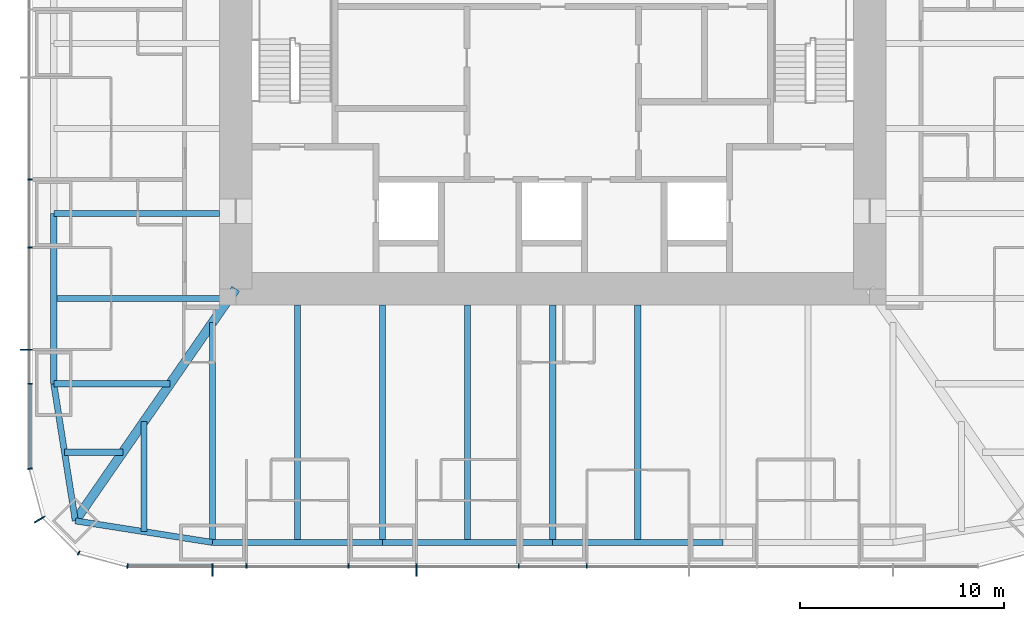
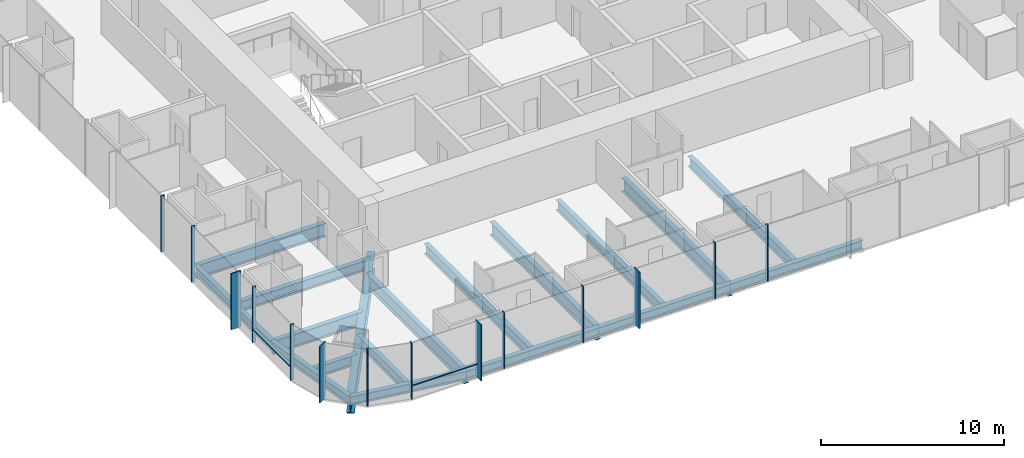
# One storey, part 2 of 13: 18 beams, 16 members, 3 elements without a shape of their own.
"""IFC4 building model written with IfcOpenShell, lengths in metres."""

from ifc_helpers import new_model, si_unit, direction, frame, origin, origin_2d, place, context, subcontext, project, spatial, rectangle, i_section, extrude, material, material_profile, profile_set, type_object, element, aggregate, save


model = new_model("IFC4")

# Units and contexts
model_context = context("Model", 3, precision=1e-05, world=origin(), true_north=direction((0.0, 1.0)))
body_context = subcontext(model_context, "Body", "Model", "MODEL_VIEW")
ifc_project = project(units=[si_unit("LENGTHUNIT", "METRE"), si_unit("AREAUNIT", "SQUARE_METRE"), si_unit("VOLUMEUNIT", "CUBIC_METRE"), si_unit("PLANEANGLEUNIT", "RADIAN"), si_unit("MASSUNIT", "GRAM", prefix="KILO")], contexts=[model_context])

# Site, building, storey
site_placement = place(None, origin())
site = spatial("IfcSite", under=ifc_project, at=site_placement, CompositionType="ELEMENT")
building_placement = place(site_placement, origin())
building = spatial("IfcBuilding", under=site, at=building_placement, Name="Khuree Lantern Residences", CompositionType="ELEMENT")
storey_placement = place(building_placement, frame((0.0, 0.0, 270.75)))
storey = spatial("IfcBuildingStorey", under=building, at=storey_placement, Name="L68", CompositionType="ELEMENT", Elevation=270.75)

# Beams
ifc_material_1 = material(Name="Steel S355", Category="steel")
ifc_material_profile_1 = material_profile(ifc_material_1, i_section(OverallWidth=0.300048828125, OverallDepth=0.68994140625, WebThickness=0.014404296875, FlangeThickness=0.027099609375, FilletRadius=0.027099609375, at=origin_2d()), Name="HE 700 A")
ifc_profile_set_1 = profile_set([ifc_material_profile_1], Name="Steel S355")
beam_type_1 = type_object("IfcBeamType", Name="B-35 SECONDARY BEAM HE 700 A", PredefinedType="BEAM", material=ifc_profile_set_1)
for number, where, z_axis, x_axis, name in (
    (1, (4.159912109375, -24.39990234375, -0.594970703125), (0.0, 1.0, 0.0), (-1.0, 0.0, 0.0), "Secondary beam S3"),
    (2, (-4.159912109375, -24.39990234375, -0.594970703125), (0.0, 1.0, 0.0), (-1.0, 0.0, 0.0), "Secondary beam S4"),
    (3, (-12.47998046875, -24.39990234375, -0.594970703125), (0.0, 1.0, 0.0), (-1.0, 0.0, 0.0), "Secondary beam S5"),
):
    element("IfcBeam", number, at=place(storey_placement, frame(where, z_axis=z_axis, x_axis=x_axis)), inside=storey, type_object=beam_type_1, Name=name, PredefinedType="BEAM", context=body_context, shape_type="SweptSolid", body=[
        extrude(i_section(OverallWidth=0.300048828125, OverallDepth=0.68994140625, WebThickness=0.014404296875, FlangeThickness=0.027099609375, FilletRadius=0.027099609375, at=origin_2d()), origin(), (0.0, 0.0, 1.0), 11.599853515625),
    ])
beam_1_placement = place(storey_placement, frame((-19.992919921875, -23.872802734375, -0.594970703125), z_axis=(0.0, 1.0, 0.0), x_axis=(-1.0, 0.0, 0.0)))
element("IfcBeam", 4, at=beam_1_placement, inside=storey, type_object=beam_type_1, Name="Secondary beam S6", PredefinedType="BEAM", context=body_context, shape_type="SweptSolid", body=[
    extrude(i_section(OverallWidth=0.300048828125, OverallDepth=0.68994140625, WebThickness=0.014404296875, FlangeThickness=0.027099609375, FilletRadius=0.027099609375, at=origin_2d()), origin(), (0.0, 0.0, 1.0), 5.375732421875),
])
beam_2_placement = place(storey_placement, frame((-23.872802734375, -19.992919921875, -0.594970703125), z_axis=(1.0, 0.0, 0.0), x_axis=(0.0, 1.0, 0.0)))
element("IfcBeam", 5, at=beam_2_placement, inside=storey, type_object=beam_type_1, Name="Secondary beam W1", PredefinedType="BEAM", context=body_context, shape_type="SweptSolid", body=[
    extrude(i_section(OverallWidth=0.300048828125, OverallDepth=0.68994140625, WebThickness=0.014404296875, FlangeThickness=0.027099609375, FilletRadius=0.027099609375, at=origin_2d()), origin(), (0.0, 0.0, 1.0), 2.845703125),
])
beam_3_placement = place(storey_placement, frame((-24.39990234375, -12.47998046875, -0.594970703125), z_axis=(1.0, 0.0, 0.0), x_axis=(0.0, 1.0, 0.0)))
element("IfcBeam", 6, at=beam_3_placement, inside=storey, type_object=beam_type_1, Name="Secondary beam W2", PredefinedType="BEAM", context=body_context, shape_type="SweptSolid", body=[
    extrude(i_section(OverallWidth=0.300048828125, OverallDepth=0.68994140625, WebThickness=0.014404296875, FlangeThickness=0.027099609375, FilletRadius=0.027099609375, at=origin_2d()), origin(), (0.0, 0.0, 1.0), 8.56787109375),
])
ifc_material_profile_2 = material_profile(ifc_material_1, i_section(OverallWidth=0.300048828125, OverallDepth=0.590087890625, WebThickness=0.012939453125, FlangeThickness=0.02490234375, FilletRadius=0.027099609375, at=origin_2d()), Name="HE 600 A")
ifc_profile_set_2 = profile_set([ifc_material_profile_2], Name="Steel S355")
beam_type_2 = type_object("IfcBeamType", Name="E-35 SPANDREL BEAM HE 600 A", PredefinedType="SPANDREL", material=ifc_profile_set_2)
for number, where, z_axis, x_axis, name in (
    (7, (8.320068359375, -24.39990234375, -0.544921875), (-1.0, 0.0, 0.0), (0.0, -1.0, 0.0), "Spandrel beam S3"),
    (8, (0.0, -24.39990234375, -0.544921875), (-1.0, 0.0, 0.0), (0.0, -1.0, 0.0), "Spandrel beam S4"),
):
    element("IfcBeam", number, at=place(storey_placement, frame(where, z_axis=z_axis, x_axis=x_axis)), inside=storey, type_object=beam_type_2, Name=name, PredefinedType="SPANDREL", context=body_context, shape_type="SweptSolid", body=[
        extrude(i_section(OverallWidth=0.300048828125, OverallDepth=0.590087890625, WebThickness=0.012939453125, FlangeThickness=0.02490234375, FilletRadius=0.027099609375, at=origin_2d()), origin(), (0.0, 0.0, 1.0), 8.320068359375),
    ])
beam_4_placement = place(storey_placement, frame((-8.320068359375, -24.39990234375, -0.544921875), z_axis=(-1.0, 0.0, 0.0), x_axis=(0.0, -1.0, 0.0)))
element("IfcBeam", 9, at=beam_4_placement, inside=storey, type_object=beam_type_2, Name="Spandrel beam S5", PredefinedType="SPANDREL", context=body_context, shape_type="SweptSolid", body=[
    extrude(i_section(OverallWidth=0.300048828125, OverallDepth=0.590087890625, WebThickness=0.012939453125, FlangeThickness=0.02490234375, FilletRadius=0.027099609375, at=origin_2d()), origin(), (0.0, 0.0, 1.0), 8.31982421875),
])
for number, where, z_axis, x_axis, name in (
    (10, (-16.639892578125, -24.39990234375, -0.544921875), (-0.98786743189, 0.155299507442, 0.0), (-0.155299507442, -0.98786743189, 0.0), "Spandrel beam S6"),
    (11, (-23.345703125, -23.345703125, -0.544921875), (-0.155299507442, 0.98786743189, 0.0), (-0.98786743189, -0.155299507442, 0.0), "Spandrel beam W1"),
):
    element("IfcBeam", number, at=place(storey_placement, frame(where, z_axis=z_axis, x_axis=x_axis)), inside=storey, type_object=beam_type_2, Name=name, PredefinedType="SPANDREL", context=body_context, shape_type="SweptSolid", body=[
        extrude(i_section(OverallWidth=0.300048828125, OverallDepth=0.590087890625, WebThickness=0.012939453125, FlangeThickness=0.02490234375, FilletRadius=0.027099609375, at=origin_2d()), origin(), (0.0, 0.0, 1.0), 6.7880859375),
    ])
beam_5_placement = place(storey_placement, frame((-24.39990234375, -16.639892578125, -0.544921875), z_axis=(0.0, 1.0, 0.0), x_axis=(-1.0, 0.0, 0.0)))
element("IfcBeam", 12, at=beam_5_placement, inside=storey, type_object=beam_type_2, Name="Spandrel beam W2", PredefinedType="SPANDREL", context=body_context, shape_type="SweptSolid", body=[
    extrude(i_section(OverallWidth=0.300048828125, OverallDepth=0.590087890625, WebThickness=0.012939453125, FlangeThickness=0.02490234375, FilletRadius=0.027099609375, at=origin_2d()), origin(), (0.0, 0.0, 1.0), 8.31982421875),
])

# Curtain wall, member
ifc_material_2 = material(Name="Bronze anodised aluminium", Category="aluminium")
curtain_wall_type_1 = type_object("IfcCurtainWallType", Name="CW-T1 TOWER FACE CURTAIN WALL", PredefinedType="USERDEFINED", material=ifc_material_2)
curtain_wall_1_placement = place(storey_placement, origin())
curtain_wall_1 = element("IfcCurtainWall", 13, at=curtain_wall_1_placement, inside=storey, type_object=curtain_wall_type_1, Name="L68 WEST FACE CURTAIN WALL", ObjectType="Stick-built curtain wall", PredefinedType="USERDEFINED")
ifc_material_profile_3 = material_profile(ifc_material_2, rectangle(XDim=0.06494140625, YDim=0.60009765625, at=origin_2d()), Name="F1 65X600")
ifc_profile_set_3 = profile_set([ifc_material_profile_3], Name="Bronze anodised aluminium")
member_type_1 = type_object("IfcMemberType", Name="F1 BRONZE FIN MULLION TOWER 65X600", PredefinedType="MULLION", material=ifc_profile_set_3)
member_1_placement = place(storey_placement, frame((-25.75, -14.97607421875, 0.0), z_axis=(0.0, 0.0, 1.0), x_axis=(0.0, -1.0, 0.0)))
member_1 = element("IfcMember", 14, at=member_1_placement, type_object=member_type_1, Name="L68 WEST FACE FIN MULLION 41", PredefinedType="MULLION", context=body_context, shape_type="SweptSolid", body=[
    extrude(rectangle(XDim=0.06494140625, YDim=0.60009765625, at=origin_2d()), origin(), (0.0, 0.0, 1.0), 3.75),
])

curtain_wall_type_2 = type_object("IfcCurtainWallType", Name="CW-T2 TOWER CORNER CURTAIN WALL", PredefinedType="USERDEFINED", material=ifc_material_2)
curtain_wall_2_placement = place(storey_placement, origin())
curtain_wall_2 = element("IfcCurtainWall", 15, at=curtain_wall_2_placement, inside=storey, type_object=curtain_wall_type_2, Name="L68 SOUTH-WEST CORNER CURTAIN WALL", ObjectType="Faceted corner curtain wall", PredefinedType="USERDEFINED")
member_2_placement = place(storey_placement, frame((-25.0869140625, -23.27490234375, 0.0), z_axis=(0.0, 0.0, 1.0), x_axis=(0.499999989586, -0.866025409797, 0.0)))
member_2 = element("IfcMember", 16, at=member_2_placement, type_object=member_type_1, Name="L68 SOUTH-WEST CORNER FIN MULLION 44", PredefinedType="MULLION", context=body_context, shape_type="SweptSolid", body=[
    extrude(rectangle(XDim=0.06494140625, YDim=0.60009765625, at=origin_2d()), origin(), (0.0, 0.0, 1.0), 3.75),
])

# Curtain wall, members
curtain_wall_3_placement = place(storey_placement, origin())
curtain_wall_3 = element("IfcCurtainWall", 17, at=curtain_wall_3_placement, inside=storey, type_object=curtain_wall_type_1, Name="L68 SOUTH FACE CURTAIN WALL", ObjectType="Stick-built curtain wall", PredefinedType="USERDEFINED")
member_3_placement = place(storey_placement, frame((-16.639892578125, -25.75, 0.0), z_axis=(0.0, 0.0, 1.0), x_axis=(1.0, 0.0, 0.0)))
member_3 = element("IfcMember", 18, at=member_3_placement, type_object=member_type_1, Name="L68 SOUTH FACE FIN MULLION 47", PredefinedType="MULLION", context=body_context, shape_type="SweptSolid", body=[
    extrude(rectangle(XDim=0.06494140625, YDim=0.60009765625, at=origin_2d()), origin(), (0.0, 0.0, 1.0), 3.75),
])
member_4_placement = place(storey_placement, frame((-6.656005859375, -25.75, 0.0), z_axis=(0.0, 0.0, 1.0), x_axis=(1.0, 0.0, 0.0)))
member_4 = element("IfcMember", 19, at=member_4_placement, type_object=member_type_1, Name="L68 SOUTH FACE FIN MULLION 50", PredefinedType="MULLION", context=body_context, shape_type="SweptSolid", body=[
    extrude(rectangle(XDim=0.06494140625, YDim=0.60009765625, at=origin_2d()), origin(), (0.0, 0.0, 1.0), 3.75),
])

# Beams
ifc_material_profile_4 = material_profile(ifc_material_1, i_section(OverallWidth=0.300048828125, OverallDepth=0.89990234375, WebThickness=0.0185546875, FlangeThickness=0.034912109375, FilletRadius=0.030029296875, at=origin_2d()), Name="HE 900 B")
ifc_profile_set_4 = profile_set([ifc_material_profile_4], Name="Steel S355")
beam_type_3 = type_object("IfcBeamType", Name="G-35 GIRDER HE 900 B", PredefinedType="BEAM", material=ifc_profile_set_4)
for number, where, z_axis, x_axis, name in (
    (20, (0.0, -24.39990234375, -0.699951171875), (0.0, 1.0, 0.0), (-1.0, 0.0, 0.0), "Girder S3"),
    (21, (-8.320068359375, -24.39990234375, -0.699951171875), (0.0, 1.0, 0.0), (-1.0, 0.0, 0.0), "Girder S4"),
):
    element("IfcBeam", number, at=place(storey_placement, frame(where, z_axis=z_axis, x_axis=x_axis)), inside=storey, type_object=beam_type_3, Name=name, PredefinedType="BEAM", context=body_context, shape_type="SweptSolid", body=[
        extrude(i_section(OverallWidth=0.300048828125, OverallDepth=0.89990234375, WebThickness=0.0185546875, FlangeThickness=0.034912109375, FilletRadius=0.030029296875, at=origin_2d()), origin(), (0.0, 0.0, 1.0), 11.599853515625),
    ])
beam_6_placement = place(storey_placement, frame((-16.639892578125, -24.39990234375, -0.699951171875), z_axis=(0.0, 1.0, 0.0), x_axis=(-1.0, 0.0, 0.0)))
element("IfcBeam", 22, at=beam_6_placement, inside=storey, type_object=beam_type_3, Name="Girder S5", PredefinedType="BEAM", context=body_context, shape_type="SweptSolid", body=[
    extrude(i_section(OverallWidth=0.300048828125, OverallDepth=0.89990234375, WebThickness=0.0185546875, FlangeThickness=0.034912109375, FilletRadius=0.030029296875, at=origin_2d()), origin(), (0.0, 0.0, 1.0), 10.751220703125),
])
beam_7_placement = place(storey_placement, frame((-24.39990234375, -16.639892578125, -0.699951171875), z_axis=(1.0, 0.0, 0.0), x_axis=(0.0, 1.0, 0.0)))
element("IfcBeam", 23, at=beam_7_placement, inside=storey, type_object=beam_type_3, Name="Girder W1", PredefinedType="BEAM", context=body_context, shape_type="SweptSolid", body=[
    extrude(i_section(OverallWidth=0.300048828125, OverallDepth=0.89990234375, WebThickness=0.0185546875, FlangeThickness=0.034912109375, FilletRadius=0.030029296875, at=origin_2d()), origin(), (0.0, 0.0, 1.0), 5.69140625),
])
beam_8_placement = place(storey_placement, frame((-24.39990234375, -8.320068359375, -0.699951171875), z_axis=(1.0, 0.0, 0.0), x_axis=(0.0, 1.0, 0.0)))
element("IfcBeam", 24, at=beam_8_placement, inside=storey, type_object=beam_type_3, Name="Girder W2", PredefinedType="BEAM", context=body_context, shape_type="SweptSolid", body=[
    extrude(i_section(OverallWidth=0.300048828125, OverallDepth=0.89990234375, WebThickness=0.0185546875, FlangeThickness=0.034912109375, FilletRadius=0.030029296875, at=origin_2d()), origin(), (0.0, 0.0, 1.0), 8.099853515625),
])
ifc_material_profile_5 = material_profile(ifc_material_1, i_section(OverallWidth=0.449951171875, OverallDepth=1.199951171875, WebThickness=0.02490234375, FlangeThickness=0.044921875, at=origin_2d()), Name="WELDED I 1200X450X25X45")
ifc_profile_set_5 = profile_set([ifc_material_profile_5], Name="Steel S355")
beam_type_4 = type_object("IfcBeamType", Name="GD-35 CORNER GIRDER WELDED I 1200X450X25X45", PredefinedType="BEAM", material=ifc_profile_set_5)
beam_9_placement = place(storey_placement, frame((-23.345703125, -23.345703125, -0.85009765625), z_axis=(0.56876813501, 0.822497907959, 0.0), x_axis=(-0.822497907959, 0.56876813501, 0.0)))
element("IfcBeam", 25, at=beam_9_placement, inside=storey, type_object=beam_type_4, Name="Corner girder SW", PredefinedType="BEAM", context=body_context, shape_type="SweptSolid", body=[
    extrude(i_section(OverallWidth=0.449951171875, OverallDepth=1.199951171875, WebThickness=0.02490234375, FlangeThickness=0.044921875, at=origin_2d()), origin(), (0.0, 0.0, 1.0), 13.794189453125),
])

# Member
ifc_material_profile_6 = material_profile(ifc_material_2, rectangle(XDim=0.06494140625, YDim=0.219970703125, at=origin_2d()), Name="M1 65X220")
ifc_profile_set_6 = profile_set([ifc_material_profile_6], Name="Bronze anodised aluminium")
member_type_2 = type_object("IfcMemberType", Name="M1 BRONZE MULLION TOWER 65X220", PredefinedType="MULLION", material=ifc_profile_set_6)
member_5_placement = place(storey_placement, frame((-25.56005859375, -6.656005859375, 0.0), z_axis=(0.0, 0.0, 1.0), x_axis=(0.0, -1.0, 0.0)))
member_5 = element("IfcMember", 26, at=member_5_placement, type_object=member_type_2, Name="L68 WEST FACE MULLION 39", PredefinedType="MULLION", context=body_context, shape_type="SweptSolid", body=[
    extrude(rectangle(XDim=0.06494140625, YDim=0.219970703125, at=origin_2d()), origin(), (0.0, 0.0, 1.0), 3.75),
])

member_6_placement = place(storey_placement, frame((-25.56005859375, -9.98388671875, 0.0), z_axis=(0.0, 0.0, 1.0), x_axis=(0.0, -1.0, 0.0)))
member_6 = element("IfcMember", 27, at=member_6_placement, type_object=member_type_2, Name="L68 WEST FACE MULLION 40", PredefinedType="MULLION", context=body_context, shape_type="SweptSolid", body=[
    extrude(rectangle(XDim=0.06494140625, YDim=0.219970703125, at=origin_2d()), origin(), (0.0, 0.0, 1.0), 3.75),
])

member_7_placement = place(storey_placement, frame((-25.56005859375, -16.639892578125, 0.0), z_axis=(0.0, 0.0, 1.0), x_axis=(0.0, -1.0, 0.0)))
member_7 = element("IfcMember", 28, at=member_7_placement, type_object=member_type_2, Name="L68 WEST FACE MULLION 42", PredefinedType="MULLION", context=body_context, shape_type="SweptSolid", body=[
    extrude(rectangle(XDim=0.06494140625, YDim=0.219970703125, at=origin_2d()), origin(), (0.0, 0.0, 1.0), 3.75),
])

member_8_placement = place(storey_placement, frame((-25.561767578125, -20.794921875, 0.0), z_axis=(0.0, 0.0, 1.0), x_axis=(0.130526180298, -0.991444862943, 0.0)))
member_8 = element("IfcMember", 29, at=member_8_placement, type_object=member_type_2, Name="L68 SOUTH-WEST CORNER MULLION 43", PredefinedType="MULLION", context=body_context, shape_type="SweptSolid", body=[
    extrude(rectangle(XDim=0.06494140625, YDim=0.219970703125, at=origin_2d()), origin(), (0.0, 0.0, 1.0), 3.75),
])

member_9_placement = place(storey_placement, frame((-23.179931640625, -24.92236328125, 0.0), z_axis=(0.0, 0.0, 1.0), x_axis=(0.866025409797, -0.499999989586, 0.0)))
member_9 = element("IfcMember", 30, at=member_9_placement, type_object=member_type_2, Name="L68 SOUTH-WEST CORNER MULLION 45", PredefinedType="MULLION", context=body_context, shape_type="SweptSolid", body=[
    extrude(rectangle(XDim=0.06494140625, YDim=0.219970703125, at=origin_2d()), origin(), (0.0, 0.0, 1.0), 3.75),
])

aggregate(curtain_wall_2, [member_8, member_2, member_9])

member_10_placement = place(storey_placement, frame((-20.794921875, -25.561767578125, 0.0), z_axis=(0.0, 0.0, 1.0), x_axis=(0.991444862943, -0.130526180298, 0.0)))
member_10 = element("IfcMember", 31, at=member_10_placement, type_object=member_type_2, Name="L68 SOUTH FACE MULLION 46", PredefinedType="MULLION", context=body_context, shape_type="SweptSolid", body=[
    extrude(rectangle(XDim=0.06494140625, YDim=0.219970703125, at=origin_2d()), origin(), (0.0, 0.0, 1.0), 3.75),
])

member_11_placement = place(storey_placement, frame((-14.97607421875, -25.56005859375, 0.0), z_axis=(0.0, 0.0, 1.0), x_axis=(1.0, 0.0, 0.0)))
member_11 = element("IfcMember", 32, at=member_11_placement, type_object=member_type_2, Name="L68 SOUTH FACE MULLION 48", PredefinedType="MULLION", context=body_context, shape_type="SweptSolid", body=[
    extrude(rectangle(XDim=0.06494140625, YDim=0.219970703125, at=origin_2d()), origin(), (0.0, 0.0, 1.0), 3.75),
])

member_12_placement = place(storey_placement, frame((-9.98388671875, -25.56005859375, 0.0), z_axis=(0.0, 0.0, 1.0), x_axis=(1.0, 0.0, 0.0)))
member_12 = element("IfcMember", 33, at=member_12_placement, type_object=member_type_2, Name="L68 SOUTH FACE MULLION 49", PredefinedType="MULLION", context=body_context, shape_type="SweptSolid", body=[
    extrude(rectangle(XDim=0.06494140625, YDim=0.219970703125, at=origin_2d()), origin(), (0.0, 0.0, 1.0), 3.75),
])

member_13_placement = place(storey_placement, frame((-1.6640625, -25.56005859375, 0.0), z_axis=(0.0, 0.0, 1.0), x_axis=(1.0, 0.0, 0.0)))
member_13 = element("IfcMember", 34, at=member_13_placement, type_object=member_type_2, Name="L68 SOUTH FACE MULLION 51", PredefinedType="MULLION", context=body_context, shape_type="SweptSolid", body=[
    extrude(rectangle(XDim=0.06494140625, YDim=0.219970703125, at=origin_2d()), origin(), (0.0, 0.0, 1.0), 3.75),
])

member_14_placement = place(storey_placement, frame((1.6640625, -25.56005859375, 0.0), z_axis=(0.0, 0.0, 1.0), x_axis=(1.0, 0.0, 0.0)))
member_14 = element("IfcMember", 35, at=member_14_placement, type_object=member_type_2, Name="L68 SOUTH FACE MULLION 52", PredefinedType="MULLION", context=body_context, shape_type="SweptSolid", body=[
    extrude(rectangle(XDim=0.06494140625, YDim=0.219970703125, at=origin_2d()), origin(), (0.0, 0.0, 1.0), 3.75),
])

ifc_material_profile_7 = material_profile(ifc_material_2, rectangle(XDim=0.179931640625, YDim=0.06494140625, at=origin_2d()), Name="T1 180X65")
ifc_profile_set_7 = profile_set([ifc_material_profile_7], Name="Bronze anodised aluminium")
member_type_3 = type_object("IfcMemberType", Name="TRANSOM T1 TOWER 180X65", PredefinedType="USERDEFINED", material=ifc_profile_set_7)
member_15_placement = place(storey_placement, frame((-25.570068359375, -16.672607421875, 0.89990234375), z_axis=(0.0, -1.0, 0.0), x_axis=(1.0, 0.0, 0.0)))
member_15 = element("IfcMember", 36, at=member_15_placement, type_object=member_type_3, Name="L68 WEST FACE TRANSOM 42.1", ObjectType="Transom", PredefinedType="USERDEFINED", context=body_context, shape_type="SweptSolid", body=[
    extrude(rectangle(XDim=0.179931640625, YDim=0.06494140625, at=origin_2d()), origin(), (0.0, 0.0, 1.0), 4.078857421875),
])

aggregate(curtain_wall_1, [member_5, member_6, member_1, member_7, member_15])

member_16_placement = place(storey_placement, frame((-20.75146484375, -25.570068359375, 0.89990234375), z_axis=(1.0, 0.0, 0.0), x_axis=(0.0, 1.0, 0.0)))
member_16 = element("IfcMember", 37, at=member_16_placement, type_object=member_type_3, Name="L68 SOUTH FACE TRANSOM 46.1", ObjectType="Transom", PredefinedType="USERDEFINED", context=body_context, shape_type="SweptSolid", body=[
    extrude(rectangle(XDim=0.179931640625, YDim=0.06494140625, at=origin_2d()), origin(), (0.0, 0.0, 1.0), 4.078857421875),
])

aggregate(curtain_wall_3, [member_10, member_3, member_11, member_12, member_4, member_13, member_14, member_16])

save(model, "model.ifc")
